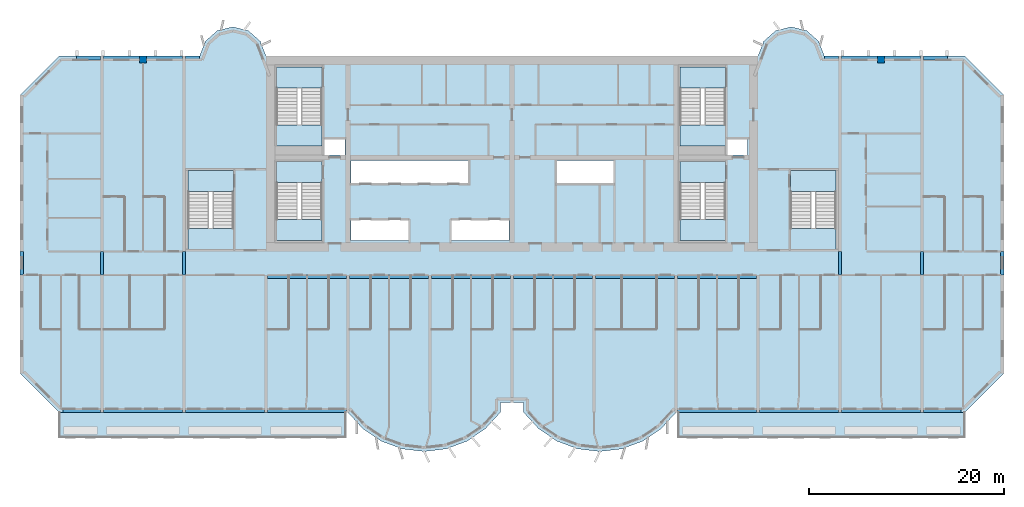
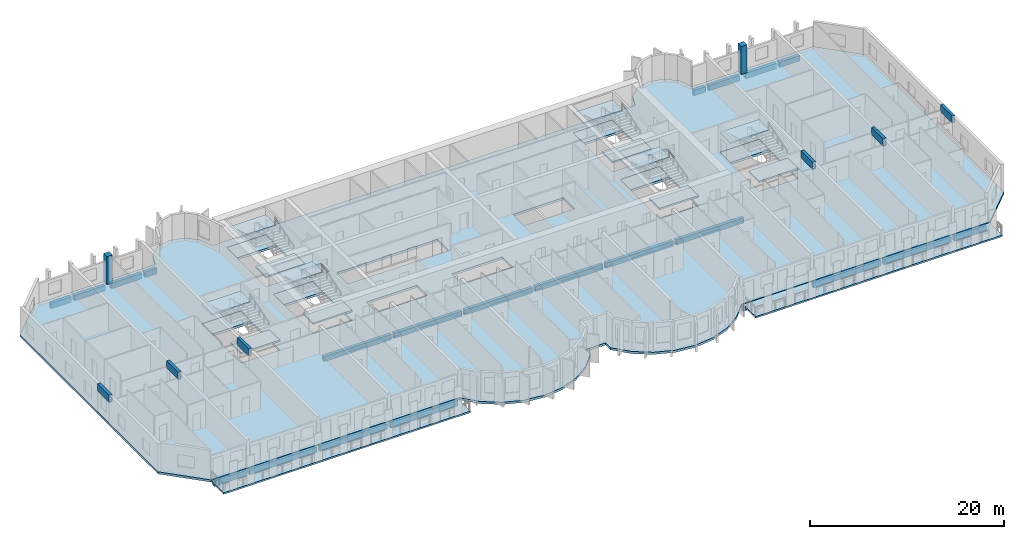
# One storey, part 1 of 15: 28 beams, 21 slabs, 2 columns, 6 elements without a shape of their own.
"""IFC4 building model written with IfcOpenShell, lengths in metres."""

from ifc_helpers import new_model, si_unit, direction, frame, origin, origin_2d, place, context, subcontext, project, spatial, polyline, rectangle, outline, extrude, source, transform, mapped, material, layer, layer_set, material_profile, profile_set, type_object, element, aggregate, save


model = new_model("IFC4")

# Units and contexts
model_context = context("Model", 3, precision=1e-05, world=origin(), true_north=direction((0.0, 1.0)))
body_context = subcontext(model_context, "Body", "Model", "MODEL_VIEW")
ifc_project = project(units=[si_unit("LENGTHUNIT", "METRE"), si_unit("AREAUNIT", "SQUARE_METRE"), si_unit("VOLUMEUNIT", "CUBIC_METRE"), si_unit("PLANEANGLEUNIT", "RADIAN"), si_unit("MASSUNIT", "GRAM", prefix="KILO")], contexts=[model_context])

# Site, building, storey
site_placement = place(None, origin())
site = spatial("IfcSite", under=ifc_project, at=site_placement, CompositionType="ELEMENT")
building_placement = place(site_placement, origin())
building = spatial("IfcBuilding", under=site, at=building_placement, Name="Vanashikhar Sky Hotel", CompositionType="ELEMENT")
storey_placement = place(building_placement, frame((0.0, 0.0, 95.199951171875)))
storey = spatial("IfcBuildingStorey", under=building, at=storey_placement, Name="L22", CompositionType="ELEMENT", Elevation=95.199951171875)

# Columns
ifc_material_1 = material(Name="Concrete M60", Category="concrete")
ifc_material_profile_1 = material_profile(ifc_material_1, rectangle(XDim=0.699951171875, YDim=0.699951171875, at=origin_2d()))
ifc_profile_set_1 = profile_set([ifc_material_profile_1], Name="RC 700x700 column Concrete M60")
column_type = type_object("IfcColumnType", Name="RC 700x700 column Concrete M60", PredefinedType="COLUMN", material=ifc_profile_set_1)
shared_shape_1 = source(origin(), body_context, "Body", "SweptSolid", [
    extrude(rectangle(XDim=0.699951171875, YDim=0.699951171875, at=origin_2d()), origin(), (0.0, 0.0, 1.0), 3.52001953125),
])
for number, where, z_axis, x_axis, name in (
    (1, (12.60009765625, 41.64990234375, 0.0), (0.0, 0.0, 1.0), (1.0, 0.0, 0.0), "CL-L22-CR02"),
    (2, (88.199951171875, 41.64990234375, 0.0), (0.0, 0.0, 1.0), (1.0, 0.0, 0.0), "CL-L22-CR11"),
):
    element("IfcColumn", number, at=place(storey_placement, frame(where, z_axis=z_axis, x_axis=x_axis)), inside=storey, type_object=column_type, Name=name, PredefinedType="COLUMN", context=body_context, shape_type="MappedRepresentation", body=[
        mapped(shared_shape_1, transform((0.0, 0.0, 0.0), scale=1.0)),
    ])

# Beams
ifc_material_2 = material(Name="Concrete M50", Category="concrete")
ifc_material_profile_2 = material_profile(ifc_material_2, rectangle(XDim=0.35009765625, YDim=0.89990234375, at=origin_2d()))
ifc_profile_set_2 = profile_set([ifc_material_profile_2], Name="RC 350x900 beam Concrete M50")
beam_type_1 = type_object("IfcBeamType", Name="RC 350x900 beam Concrete M50", PredefinedType="LINTEL", material=ifc_profile_set_2)
shared_shape_2 = source(origin(), body_context, "Body", "SweptSolid", [
    extrude(rectangle(XDim=0.35009765625, YDim=0.89990234375, at=origin_2d()), origin(), (0.0, 0.0, 1.0), 2.39990234375),
])
for number, where, z_axis, x_axis, name in (
    (3, (0.175048828125, 19.60009765625, 3.070068359375), (0.0, 1.0, 0.0), (-1.0, 0.0, 0.0), "LB-L22-XW01"),
    (4, (8.39990234375, 19.60009765625, 3.070068359375), (0.0, 1.0, 0.0), (-1.0, 0.0, 0.0), "LB-L22-XW02"),
    (5, (16.800048828125, 19.60009765625, 3.070068359375), (0.0, 1.0, 0.0), (-1.0, 0.0, 0.0), "LB-L22-XW03"),
    (6, (84.0, 19.60009765625, 3.070068359375), (0.0, 1.0, 0.0), (-1.0, 0.0, 0.0), "LB-L22-XW11"),
    (7, (92.39990234375, 19.60009765625, 3.070068359375), (0.0, 1.0, 0.0), (-1.0, 0.0, 0.0), "LB-L22-XW12"),
    (8, (100.625, 19.60009765625, 3.070068359375), (0.0, 1.0, 0.0), (-1.0, 0.0, 0.0), "LB-L22-XW13"),
):
    element("IfcBeam", number, at=place(storey_placement, frame(where, z_axis=z_axis, x_axis=x_axis)), inside=storey, type_object=beam_type_1, Name=name, PredefinedType="LINTEL", context=body_context, shape_type="MappedRepresentation", body=[
        mapped(shared_shape_2, transform((0.0, 0.0, 0.0), scale=1.0)),
    ])
ifc_material_profile_3 = material_profile(ifc_material_2, rectangle(XDim=0.39990234375, YDim=0.699951171875, at=origin_2d()))
ifc_profile_set_3 = profile_set([ifc_material_profile_3], Name="RC 400x700 beam Concrete M50")
beam_type_2 = type_object("IfcBeamType", Name="RC 400x700 beam Concrete M50", PredefinedType="SPANDREL", material=ifc_profile_set_3)
shared_shape_3 = source(origin(), body_context, "Body", "SweptSolid", [
    extrude(rectangle(XDim=0.39990234375, YDim=0.699951171875, at=origin_2d()), origin(), (0.0, 0.0, 1.0), 8.050048828125),
])
for number, where, z_axis, x_axis, name in (
    (9, (8.574951171875, 5.699951171875, -0.6298828125), (1.0, 0.0, 0.0), (0.0, 1.0, 0.0), "EB-L22-F01"),
    (10, (25.375, 5.699951171875, -0.6298828125), (1.0, 0.0, 0.0), (0.0, 1.0, 0.0), "EB-L22-F03"),
    (11, (67.375, 5.699951171875, -0.6298828125), (1.0, 0.0, 0.0), (0.0, 1.0, 0.0), "EB-L22-F05"),
    (12, (75.77490234375, 5.699951171875, -0.6298828125), (1.0, 0.0, 0.0), (0.0, 1.0, 0.0), "EB-L22-F06"),
    (13, (84.175048828125, 5.699951171875, -0.6298828125), (1.0, 0.0, 0.0), (0.0, 1.0, 0.0), "EB-L22-F07"),
):
    element("IfcBeam", number, at=place(storey_placement, frame(where, z_axis=z_axis, x_axis=x_axis)), inside=storey, type_object=beam_type_2, Name=name, PredefinedType="SPANDREL", context=body_context, shape_type="MappedRepresentation", body=[
        mapped(shared_shape_3, transform((0.0, 0.0, 0.0), scale=1.0)),
    ])
shared_shape_4 = source(origin(), body_context, "Body", "SweptSolid", [
    extrude(rectangle(XDim=0.39990234375, YDim=0.699951171875, at=origin_2d()), origin(), (0.0, 0.0, 1.0), 8.0498046875),
])
beam_1_placement = place(storey_placement, frame((16.97509765625, 5.699951171875, -0.6298828125), z_axis=(1.0, 0.0, 0.0), x_axis=(0.0, 1.0, 0.0)))
element("IfcBeam", 14, at=beam_1_placement, inside=storey, type_object=beam_type_2, Name="EB-L22-F02", PredefinedType="SPANDREL", context=body_context, shape_type="MappedRepresentation", body=[
    mapped(shared_shape_4, transform((0.0, 0.0, 0.0), scale=1.0)),
])
ifc_material_profile_4 = material_profile(ifc_material_2, rectangle(XDim=0.39990234375, YDim=0.699951171875, at=origin_2d()))
ifc_profile_set_4 = profile_set([ifc_material_profile_4], Name="RC 400x700 cantilever beam Concrete M50")
beam_type_3 = type_object("IfcBeamType", Name="RC 400x700 cantilever beam Concrete M50", PredefinedType="SPANDREL", material=ifc_profile_set_4)
shared_shape_5 = source(origin(), body_context, "Body", "SweptSolid", [
    extrude(rectangle(XDim=0.39990234375, YDim=0.699951171875, at=origin_2d()), origin(), (0.0, 0.0, 1.0), 3.8251953125),
])
beam_2_placement = place(storey_placement, frame((4.39990234375, 5.699951171875, -0.6298828125), z_axis=(1.0, 0.0, 0.0), x_axis=(0.0, 1.0, 0.0)))
element("IfcBeam", 15, at=beam_2_placement, inside=storey, type_object=beam_type_3, Name="EB-L22-F04", PredefinedType="SPANDREL", context=body_context, shape_type="MappedRepresentation", body=[
    mapped(shared_shape_5, transform((0.0, 0.0, 0.0), scale=1.0)),
])
shared_shape_6 = source(origin(), body_context, "Body", "SweptSolid", [
    extrude(rectangle(XDim=0.39990234375, YDim=0.699951171875, at=origin_2d()), origin(), (0.0, 0.0, 1.0), 3.824951171875),
])
beam_3_placement = place(storey_placement, frame((92.574951171875, 5.699951171875, -0.6298828125), z_axis=(1.0, 0.0, 0.0), x_axis=(0.0, 1.0, 0.0)))
element("IfcBeam", 16, at=beam_3_placement, inside=storey, type_object=beam_type_3, Name="EB-L22-F08", PredefinedType="SPANDREL", context=body_context, shape_type="MappedRepresentation", body=[
    mapped(shared_shape_6, transform((0.0, 0.0, 0.0), scale=1.0)),
])
shared_shape_7 = source(origin(), body_context, "Body", "SweptSolid", [
    extrude(rectangle(XDim=0.39990234375, YDim=0.699951171875, at=origin_2d()), origin(), (0.0, 0.0, 1.0), 3.675048828125),
])
for number, where, z_axis, x_axis, name in (
    (17, (8.574951171875, 41.800048828125, -0.6298828125), (1.0, 0.0, 0.0), (0.0, 1.0, 0.0), "EB-L22-R01"),
    (18, (12.949951171875, 41.800048828125, -0.6298828125), (1.0, 0.0, 0.0), (0.0, 1.0, 0.0), "EB-L22-R02"),
    (19, (84.175048828125, 41.800048828125, -0.6298828125), (1.0, 0.0, 0.0), (0.0, 1.0, 0.0), "EB-L22-R05"),
    (20, (88.550048828125, 41.800048828125, -0.6298828125), (1.0, 0.0, 0.0), (0.0, 1.0, 0.0), "EB-L22-R06"),
):
    element("IfcBeam", number, at=place(storey_placement, frame(where, z_axis=z_axis, x_axis=x_axis)), inside=storey, type_object=beam_type_2, Name=name, PredefinedType="SPANDREL", context=body_context, shape_type="MappedRepresentation", body=[
        mapped(shared_shape_7, transform((0.0, 0.0, 0.0), scale=1.0)),
    ])
shared_shape_8 = source(origin(), body_context, "Body", "SweptSolid", [
    extrude(rectangle(XDim=0.39990234375, YDim=0.699951171875, at=origin_2d()), origin(), (0.0, 0.0, 1.0), 2.43017578125),
])
beam_4_placement = place(storey_placement, frame((5.794921875, 41.800048828125, -0.6298828125), z_axis=(1.0, 0.0, 0.0), x_axis=(0.0, 1.0, 0.0)))
element("IfcBeam", 21, at=beam_4_placement, inside=storey, type_object=beam_type_3, Name="EB-L22-R03", PredefinedType="SPANDREL", context=body_context, shape_type="MappedRepresentation", body=[
    mapped(shared_shape_8, transform((0.0, 0.0, 0.0), scale=1.0)),
])
shared_shape_9 = source(origin(), body_context, "Body", "SweptSolid", [
    extrude(rectangle(XDim=0.39990234375, YDim=0.699951171875, at=origin_2d()), origin(), (0.0, 0.0, 1.0), 1.4248046875),
])
beam_5_placement = place(storey_placement, frame((16.97509765625, 41.800048828125, -0.6298828125), z_axis=(1.0, 0.0, 0.0), x_axis=(0.0, 1.0, 0.0)))
element("IfcBeam", 22, at=beam_5_placement, inside=storey, type_object=beam_type_3, Name="EB-L22-R04", PredefinedType="SPANDREL", context=body_context, shape_type="MappedRepresentation", body=[
    mapped(shared_shape_9, transform((0.0, 0.0, 0.0), scale=1.0)),
])
shared_shape_10 = source(origin(), body_context, "Body", "SweptSolid", [
    extrude(rectangle(XDim=0.39990234375, YDim=0.699951171875, at=origin_2d()), origin(), (0.0, 0.0, 1.0), 1.425048828125),
])
beam_6_placement = place(storey_placement, frame((82.39990234375, 41.800048828125, -0.6298828125), z_axis=(1.0, 0.0, 0.0), x_axis=(0.0, 1.0, 0.0)))
element("IfcBeam", 23, at=beam_6_placement, inside=storey, type_object=beam_type_3, Name="EB-L22-R07", PredefinedType="SPANDREL", context=body_context, shape_type="MappedRepresentation", body=[
    mapped(shared_shape_10, transform((0.0, 0.0, 0.0), scale=1.0)),
])
shared_shape_11 = source(origin(), body_context, "Body", "SweptSolid", [
    extrude(rectangle(XDim=0.39990234375, YDim=0.699951171875, at=origin_2d()), origin(), (0.0, 0.0, 1.0), 2.429931640625),
])
beam_7_placement = place(storey_placement, frame((92.574951171875, 41.800048828125, -0.6298828125), z_axis=(1.0, 0.0, 0.0), x_axis=(0.0, 1.0, 0.0)))
element("IfcBeam", 24, at=beam_7_placement, inside=storey, type_object=beam_type_3, Name="EB-L22-R08", PredefinedType="SPANDREL", context=body_context, shape_type="MappedRepresentation", body=[
    mapped(shared_shape_11, transform((0.0, 0.0, 0.0), scale=1.0)),
])
ifc_material_profile_5 = material_profile(ifc_material_2, rectangle(XDim=0.39990234375, YDim=0.64990234375, at=origin_2d()))
ifc_profile_set_5 = profile_set([ifc_material_profile_5], Name="RC 400x650 beam Concrete M50")
beam_type_4 = type_object("IfcBeamType", Name="RC 400x650 beam Concrete M50", PredefinedType="BEAM", material=ifc_profile_set_5)
shared_shape_12 = source(origin(), body_context, "Body", "SweptSolid", [
    extrude(rectangle(XDim=0.39990234375, YDim=0.64990234375, at=origin_2d()), origin(), (0.0, 0.0, 1.0), 8.050048828125),
])
for number, where, z_axis, x_axis, name in (
    (25, (25.375, 19.39990234375, -0.60498046875), (1.0, 0.0, 0.0), (0.0, 1.0, 0.0), "CB-L22-01"),
    (26, (33.77490234375, 19.39990234375, -0.60498046875), (1.0, 0.0, 0.0), (0.0, 1.0, 0.0), "CB-L22-02"),
    (27, (42.175048828125, 19.39990234375, -0.60498046875), (1.0, 0.0, 0.0), (0.0, 1.0, 0.0), "CB-L22-03"),
    (28, (50.574951171875, 19.39990234375, -0.60498046875), (1.0, 0.0, 0.0), (0.0, 1.0, 0.0), "CB-L22-04"),
    (29, (67.375, 19.39990234375, -0.60498046875), (1.0, 0.0, 0.0), (0.0, 1.0, 0.0), "CB-L22-06"),
):
    element("IfcBeam", number, at=place(storey_placement, frame(where, z_axis=z_axis, x_axis=x_axis)), inside=storey, type_object=beam_type_4, Name=name, PredefinedType="BEAM", context=body_context, shape_type="MappedRepresentation", body=[
        mapped(shared_shape_12, transform((0.0, 0.0, 0.0), scale=1.0)),
    ])
shared_shape_13 = source(origin(), body_context, "Body", "SweptSolid", [
    extrude(rectangle(XDim=0.39990234375, YDim=0.64990234375, at=origin_2d()), origin(), (0.0, 0.0, 1.0), 8.0498046875),
])
beam_8_placement = place(storey_placement, frame((58.97509765625, 19.39990234375, -0.60498046875), z_axis=(1.0, 0.0, 0.0), x_axis=(0.0, 1.0, 0.0)))
element("IfcBeam", 30, at=beam_8_placement, inside=storey, type_object=beam_type_4, Name="CB-L22-05", PredefinedType="BEAM", context=body_context, shape_type="MappedRepresentation", body=[
    mapped(shared_shape_13, transform((0.0, 0.0, 0.0), scale=1.0)),
])

# Slabs
ifc_material_3 = material(Name="Concrete M40", Category="concrete")
ifc_layer_1 = layer(ifc_material_3, 0.280029296875)
ifc_layer_set_1 = layer_set([ifc_layer_1], Name="Floor slab 280 mm")
slab_type_1 = type_object("IfcSlabType", Name="Floor slab 280 mm", PredefinedType="FLOOR", material=ifc_layer_set_1)
shared_shape_14 = source(origin(), body_context, "Body", "SweptSolid", [
    extrude(outline(polyline([(49.199951171875, 5.5), (49.199951171875, 6.5), (51.60009765625, 6.5), (51.60009765625, 5.5), (53.133056640625, 3.825927734375), (55.01708984375, 2.55810546875), (57.14599609375, 1.76806640625), (59.39990234375, 1.5), (61.654052734375, 1.76806640625), (63.782958984375, 2.55810546875), (65.6669921875, 3.825927734375), (67.199951171875, 5.5), (96.800048828125, 5.5), (100.800048828125, 9.5), (100.800048828125, 38.0), (96.800048828125, 42.0), (82.39990234375, 42.0), (81.81494140625, 43.527099609375), (80.587890625, 44.610107421875), (79.0, 45.0), (77.412109375, 44.610107421875), (76.18505859375, 43.527099609375), (75.60009765625, 42.0), (25.199951171875, 42.0), (24.614990234375, 43.527099609375), (23.387939453125, 44.610107421875), (21.800048828125, 45.0), (20.2119140625, 44.610107421875), (18.985107421875, 43.527099609375), (18.39990234375, 42.0), (4.0, 42.0), (0.0, 38.0), (0.0, 9.5), (4.0, 5.5), (33.60009765625, 5.5), (35.133056640625, 3.825927734375), (37.01708984375, 2.55810546875), (39.14599609375, 1.76806640625), (41.39990234375, 1.5), (43.654052734375, 1.76806640625), (45.782958984375, 2.55810546875), (47.6669921875, 3.825927734375), (49.199951171875, 5.5)]), holes=[polyline([(33.300048828125, 33.60009765625), (31.050048828125, 33.60009765625), (31.050048828125, 31.89990234375), (33.300048828125, 31.89990234375), (33.300048828125, 33.60009765625)]), polyline([(33.89990234375, 25.199951171875), (33.89990234375, 23.10009765625), (39.89990234375, 23.10009765625), (39.89990234375, 25.199951171875), (33.89990234375, 25.199951171875)]), polyline([(33.89990234375, 31.300048828125), (33.89990234375, 29.0), (45.89990234375, 29.0), (45.89990234375, 31.300048828125), (33.89990234375, 31.300048828125)]), polyline([(44.10009765625, 25.199951171875), (44.10009765625, 23.10009765625), (50.10009765625, 23.10009765625), (50.10009765625, 25.199951171875), (44.10009765625, 25.199951171875)]), polyline([(54.89990234375, 31.300048828125), (54.89990234375, 29.0), (60.89990234375, 29.0), (60.89990234375, 31.300048828125), (54.89990234375, 31.300048828125)]), polyline([(74.5, 33.60009765625), (72.35009765625, 33.60009765625), (72.35009765625, 31.89990234375), (74.5, 31.89990234375), (74.5, 33.60009765625)]), polyline([(30.949951171875, 23.10009765625), (30.949951171875, 31.199951171875), (26.300048828125, 31.199951171875), (26.300048828125, 23.10009765625), (30.949951171875, 23.10009765625)]), polyline([(72.25, 23.10009765625), (72.25, 31.199951171875), (67.60009765625, 31.199951171875), (67.60009765625, 23.10009765625), (72.25, 23.10009765625)]), polyline([(30.949951171875, 32.800048828125), (30.949951171875, 40.89990234375), (26.300048828125, 40.89990234375), (26.300048828125, 32.800048828125), (30.949951171875, 32.800048828125)]), polyline([(72.25, 32.800048828125), (72.25, 40.89990234375), (67.60009765625, 40.89990234375), (67.60009765625, 32.800048828125), (72.25, 32.800048828125)]), polyline([(83.60009765625, 22.199951171875), (83.60009765625, 30.300048828125), (78.949951171875, 30.300048828125), (78.949951171875, 22.199951171875), (83.60009765625, 22.199951171875)]), polyline([(21.85009765625, 22.199951171875), (21.85009765625, 30.300048828125), (17.199951171875, 30.300048828125), (17.199951171875, 22.199951171875), (21.85009765625, 22.199951171875)])]), origin(), (0.0, 0.0, 1.0), 0.280029296875),
])
slab_1_placement = place(storey_placement, frame((0.0, 0.0, -0.280029296875)))
element("IfcSlab", 31, at=slab_1_placement, inside=storey, type_object=slab_type_1, Name="Floor slab L22", PredefinedType="FLOOR", context=body_context, shape_type="MappedRepresentation", body=[
    mapped(shared_shape_14, transform((0.0, 0.0, 0.0), scale=1.0)),
])
ifc_layer_2 = layer(ifc_material_3, 0.199951171875)
ifc_layer_set_2 = layer_set([ifc_layer_2], Name="Balcony slab 200 mm")
slab_type_2 = type_object("IfcSlabType", Name="Balcony slab 200 mm", PredefinedType="USERDEFINED", material=ifc_layer_set_2)
shared_shape_15 = source(origin(), body_context, "Body", "SweptSolid", [
    extrude(outline(polyline([(4.0, 2.89990234375), (33.39990234375, 2.89990234375), (33.39990234375, 5.5), (4.0, 5.5), (4.0, 2.89990234375)])), origin(), (0.0, 0.0, 1.0), 0.199951171875),
])
slab_2_placement = place(storey_placement, frame((0.0, 0.0, -0.25)))
element("IfcSlab", 32, at=slab_2_placement, inside=storey, type_object=slab_type_2, Name="Balcony slab L22 1", ObjectType="BALCONY", PredefinedType="USERDEFINED", context=body_context, shape_type="MappedRepresentation", body=[
    mapped(shared_shape_15, transform((0.0, 0.0, 0.0), scale=1.0)),
])
shared_shape_16 = source(origin(), body_context, "Body", "SweptSolid", [
    extrude(outline(polyline([(67.39990234375, 2.89990234375), (96.800048828125, 2.89990234375), (96.800048828125, 5.5), (67.39990234375, 5.5), (67.39990234375, 2.89990234375)])), origin(), (0.0, 0.0, 1.0), 0.199951171875),
])
slab_3_placement = place(storey_placement, frame((0.0, 0.0, -0.25)))
element("IfcSlab", 33, at=slab_3_placement, inside=storey, type_object=slab_type_2, Name="Balcony slab L22 2", ObjectType="BALCONY", PredefinedType="USERDEFINED", context=body_context, shape_type="MappedRepresentation", body=[
    mapped(shared_shape_16, transform((0.0, 0.0, 0.0), scale=1.0)),
])

# Stair, slabs
stair_type = type_object("IfcStairType", Name="Exit stair 2150", PredefinedType="DOUBLE_RETURN_STAIR", material=ifc_material_3)
stair_1_placement = place(storey_placement, origin())
stair_1 = element("IfcStair", 34, at=stair_1_placement, inside=storey, type_object=stair_type, Name="L22 Exit stair 1", PredefinedType="DOUBLE_RETURN_STAIR")
ifc_layer_3 = layer(ifc_material_3, 0.199951171875)
ifc_layer_set_3 = layer_set([ifc_layer_3], Name="Stair landing 200")
slab_type_3 = type_object("IfcSlabType", Name="Stair landing 200", PredefinedType="LANDING", material=ifc_layer_set_3)
shared_shape_17 = source(origin(), body_context, "Body", "SweptSolid", [
    extrude(outline(polyline([(30.949951171875, 29.050048828125), (30.949951171875, 31.199951171875), (26.300048828125, 31.199951171875), (26.300048828125, 29.050048828125), (30.949951171875, 29.050048828125)])), origin(), (0.0, 0.0, 1.0), 0.199951171875),
])
slab_4_placement = place(storey_placement, frame((0.0, 0.0, 2.33349609375)))
slab_4 = element("IfcSlab", 35, at=slab_4_placement, type_object=slab_type_3, Name="ST-C1 landing 2", PredefinedType="LANDING", context=body_context, shape_type="MappedRepresentation", body=[
    mapped(shared_shape_17, transform((0.0, 0.0, 0.0), scale=1.0)),
])
shared_shape_18 = source(origin(), body_context, "Body", "SweptSolid", [
    extrude(outline(polyline([(30.949951171875, 23.10009765625), (30.949951171875, 25.25), (26.300048828125, 25.25), (26.300048828125, 23.10009765625), (30.949951171875, 23.10009765625)])), origin(), (0.0, 0.0, 1.0), 0.199951171875),
])
slab_5_placement = place(storey_placement, frame((0.0, 0.0, 1.066650390625)))
slab_5 = element("IfcSlab", 36, at=slab_5_placement, type_object=slab_type_3, Name="ST-C1 landing 1", PredefinedType="LANDING", context=body_context, shape_type="MappedRepresentation", body=[
    mapped(shared_shape_18, transform((0.0, 0.0, 0.0), scale=1.0)),
])
aggregate(stair_1, [slab_5, slab_4])

# Slab
ifc_layer_4 = layer(ifc_material_3, 0.280029296875)
ifc_layer_set_4 = layer_set([ifc_layer_4], Name="Stair floor landing 280")
slab_type_4 = type_object("IfcSlabType", Name="Stair floor landing 280", PredefinedType="LANDING", material=ifc_layer_set_4)
shared_shape_19 = source(origin(), body_context, "Body", "SweptSolid", [
    extrude(outline(polyline([(30.949951171875, 29.050048828125), (30.949951171875, 31.199951171875), (26.300048828125, 31.199951171875), (26.300048828125, 29.050048828125), (30.949951171875, 29.050048828125)])), origin(), (0.0, 0.0, 1.0), 0.280029296875),
])
slab_6_placement = place(storey_placement, frame((0.0, 0.0, -0.280029296875)))
element("IfcSlab", 37, at=slab_6_placement, inside=storey, type_object=slab_type_4, Name="Exit stair 1 floor landing", PredefinedType="LANDING", context=body_context, shape_type="MappedRepresentation", body=[
    mapped(shared_shape_19, transform((0.0, 0.0, 0.0), scale=1.0)),
])

# Stair, slabs
stair_2_placement = place(storey_placement, origin())
stair_2 = element("IfcStair", 38, at=stair_2_placement, inside=storey, type_object=stair_type, Name="L22 Exit stair 2", PredefinedType="DOUBLE_RETURN_STAIR")
shared_shape_20 = source(origin(), body_context, "Body", "SweptSolid", [
    extrude(outline(polyline([(72.25, 29.050048828125), (72.25, 31.199951171875), (67.60009765625, 31.199951171875), (67.60009765625, 29.050048828125), (72.25, 29.050048828125)])), origin(), (0.0, 0.0, 1.0), 0.199951171875),
])
slab_7_placement = place(storey_placement, frame((0.0, 0.0, 2.33349609375)))
slab_7 = element("IfcSlab", 39, at=slab_7_placement, type_object=slab_type_3, Name="ST-C2 landing 2", PredefinedType="LANDING", context=body_context, shape_type="MappedRepresentation", body=[
    mapped(shared_shape_20, transform((0.0, 0.0, 0.0), scale=1.0)),
])
shared_shape_21 = source(origin(), body_context, "Body", "SweptSolid", [
    extrude(outline(polyline([(72.25, 23.10009765625), (72.25, 25.25), (67.60009765625, 25.25), (67.60009765625, 23.10009765625), (72.25, 23.10009765625)])), origin(), (0.0, 0.0, 1.0), 0.199951171875),
])
slab_8_placement = place(storey_placement, frame((0.0, 0.0, 1.066650390625)))
slab_8 = element("IfcSlab", 40, at=slab_8_placement, type_object=slab_type_3, Name="ST-C2 landing 1", PredefinedType="LANDING", context=body_context, shape_type="MappedRepresentation", body=[
    mapped(shared_shape_21, transform((0.0, 0.0, 0.0), scale=1.0)),
])
aggregate(stair_2, [slab_8, slab_7])

# Slab
shared_shape_22 = source(origin(), body_context, "Body", "SweptSolid", [
    extrude(outline(polyline([(72.25, 29.050048828125), (72.25, 31.199951171875), (67.60009765625, 31.199951171875), (67.60009765625, 29.050048828125), (72.25, 29.050048828125)])), origin(), (0.0, 0.0, 1.0), 0.280029296875),
])
slab_9_placement = place(storey_placement, frame((0.0, 0.0, -0.280029296875)))
element("IfcSlab", 41, at=slab_9_placement, inside=storey, type_object=slab_type_4, Name="Exit stair 2 floor landing", PredefinedType="LANDING", context=body_context, shape_type="MappedRepresentation", body=[
    mapped(shared_shape_22, transform((0.0, 0.0, 0.0), scale=1.0)),
])

# Stair, slabs
stair_3_placement = place(storey_placement, origin())
stair_3 = element("IfcStair", 42, at=stair_3_placement, inside=storey, type_object=stair_type, Name="L22 Exit stair 3", PredefinedType="DOUBLE_RETURN_STAIR")
shared_shape_23 = source(origin(), body_context, "Body", "SweptSolid", [
    extrude(outline(polyline([(21.85009765625, 28.14990234375), (21.85009765625, 30.300048828125), (17.199951171875, 30.300048828125), (17.199951171875, 28.14990234375), (21.85009765625, 28.14990234375)])), origin(), (0.0, 0.0, 1.0), 0.199951171875),
])
slab_10_placement = place(storey_placement, frame((0.0, 0.0, 2.33349609375)))
slab_10 = element("IfcSlab", 43, at=slab_10_placement, type_object=slab_type_3, Name="ST-W landing 2", PredefinedType="LANDING", context=body_context, shape_type="MappedRepresentation", body=[
    mapped(shared_shape_23, transform((0.0, 0.0, 0.0), scale=1.0)),
])
shared_shape_24 = source(origin(), body_context, "Body", "SweptSolid", [
    extrude(outline(polyline([(21.85009765625, 22.199951171875), (21.85009765625, 24.35009765625), (17.199951171875, 24.35009765625), (17.199951171875, 22.199951171875), (21.85009765625, 22.199951171875)])), origin(), (0.0, 0.0, 1.0), 0.199951171875),
])
slab_11_placement = place(storey_placement, frame((0.0, 0.0, 1.066650390625)))
slab_11 = element("IfcSlab", 44, at=slab_11_placement, type_object=slab_type_3, Name="ST-W landing 1", PredefinedType="LANDING", context=body_context, shape_type="MappedRepresentation", body=[
    mapped(shared_shape_24, transform((0.0, 0.0, 0.0), scale=1.0)),
])
aggregate(stair_3, [slab_11, slab_10])

# Slab
shared_shape_25 = source(origin(), body_context, "Body", "SweptSolid", [
    extrude(outline(polyline([(21.85009765625, 28.14990234375), (21.85009765625, 30.300048828125), (17.199951171875, 30.300048828125), (17.199951171875, 28.14990234375), (21.85009765625, 28.14990234375)])), origin(), (0.0, 0.0, 1.0), 0.280029296875),
])
slab_12_placement = place(storey_placement, frame((0.0, 0.0, -0.280029296875)))
element("IfcSlab", 45, at=slab_12_placement, inside=storey, type_object=slab_type_4, Name="Exit stair 3 floor landing", PredefinedType="LANDING", context=body_context, shape_type="MappedRepresentation", body=[
    mapped(shared_shape_25, transform((0.0, 0.0, 0.0), scale=1.0)),
])

# Stair, slabs
stair_4_placement = place(storey_placement, origin())
stair_4 = element("IfcStair", 46, at=stair_4_placement, inside=storey, type_object=stair_type, Name="L22 Exit stair 4", PredefinedType="DOUBLE_RETURN_STAIR")
shared_shape_26 = source(origin(), body_context, "Body", "SweptSolid", [
    extrude(outline(polyline([(83.60009765625, 28.14990234375), (83.60009765625, 30.300048828125), (78.949951171875, 30.300048828125), (78.949951171875, 28.14990234375), (83.60009765625, 28.14990234375)])), origin(), (0.0, 0.0, 1.0), 0.199951171875),
])
slab_13_placement = place(storey_placement, frame((0.0, 0.0, 2.33349609375)))
slab_13 = element("IfcSlab", 47, at=slab_13_placement, type_object=slab_type_3, Name="ST-E landing 2", PredefinedType="LANDING", context=body_context, shape_type="MappedRepresentation", body=[
    mapped(shared_shape_26, transform((0.0, 0.0, 0.0), scale=1.0)),
])
shared_shape_27 = source(origin(), body_context, "Body", "SweptSolid", [
    extrude(outline(polyline([(83.60009765625, 22.199951171875), (83.60009765625, 24.35009765625), (78.949951171875, 24.35009765625), (78.949951171875, 22.199951171875), (83.60009765625, 22.199951171875)])), origin(), (0.0, 0.0, 1.0), 0.199951171875),
])
slab_14_placement = place(storey_placement, frame((0.0, 0.0, 1.066650390625)))
slab_14 = element("IfcSlab", 48, at=slab_14_placement, type_object=slab_type_3, Name="ST-E landing 1", PredefinedType="LANDING", context=body_context, shape_type="MappedRepresentation", body=[
    mapped(shared_shape_27, transform((0.0, 0.0, 0.0), scale=1.0)),
])
aggregate(stair_4, [slab_14, slab_13])

# Slab
shared_shape_28 = source(origin(), body_context, "Body", "SweptSolid", [
    extrude(outline(polyline([(83.60009765625, 28.14990234375), (83.60009765625, 30.300048828125), (78.949951171875, 30.300048828125), (78.949951171875, 28.14990234375), (83.60009765625, 28.14990234375)])), origin(), (0.0, 0.0, 1.0), 0.280029296875),
])
slab_15_placement = place(storey_placement, frame((0.0, 0.0, -0.280029296875)))
element("IfcSlab", 49, at=slab_15_placement, inside=storey, type_object=slab_type_4, Name="Exit stair 4 floor landing", PredefinedType="LANDING", context=body_context, shape_type="MappedRepresentation", body=[
    mapped(shared_shape_28, transform((0.0, 0.0, 0.0), scale=1.0)),
])

# Stair, slabs
stair_5_placement = place(storey_placement, origin())
stair_5 = element("IfcStair", 50, at=stair_5_placement, inside=storey, type_object=stair_type, Name="L22 Exit stair 5", PredefinedType="DOUBLE_RETURN_STAIR")
shared_shape_29 = source(origin(), body_context, "Body", "SweptSolid", [
    extrude(outline(polyline([(30.949951171875, 38.75), (30.949951171875, 40.89990234375), (26.300048828125, 40.89990234375), (26.300048828125, 38.75), (30.949951171875, 38.75)])), origin(), (0.0, 0.0, 1.0), 0.199951171875),
])
slab_16_placement = place(storey_placement, frame((0.0, 0.0, 2.33349609375)))
slab_16 = element("IfcSlab", 51, at=slab_16_placement, type_object=slab_type_3, Name="ST-C3 landing 2", PredefinedType="LANDING", context=body_context, shape_type="MappedRepresentation", body=[
    mapped(shared_shape_29, transform((0.0, 0.0, 0.0), scale=1.0)),
])
shared_shape_30 = source(origin(), body_context, "Body", "SweptSolid", [
    extrude(outline(polyline([(30.949951171875, 32.800048828125), (30.949951171875, 34.949951171875), (26.300048828125, 34.949951171875), (26.300048828125, 32.800048828125), (30.949951171875, 32.800048828125)])), origin(), (0.0, 0.0, 1.0), 0.199951171875),
])
slab_17_placement = place(storey_placement, frame((0.0, 0.0, 1.066650390625)))
slab_17 = element("IfcSlab", 52, at=slab_17_placement, type_object=slab_type_3, Name="ST-C3 landing 1", PredefinedType="LANDING", context=body_context, shape_type="MappedRepresentation", body=[
    mapped(shared_shape_30, transform((0.0, 0.0, 0.0), scale=1.0)),
])
aggregate(stair_5, [slab_17, slab_16])

# Slab
shared_shape_31 = source(origin(), body_context, "Body", "SweptSolid", [
    extrude(outline(polyline([(30.949951171875, 38.75), (30.949951171875, 40.89990234375), (26.300048828125, 40.89990234375), (26.300048828125, 38.75), (30.949951171875, 38.75)])), origin(), (0.0, 0.0, 1.0), 0.280029296875),
])
slab_18_placement = place(storey_placement, frame((0.0, 0.0, -0.280029296875)))
element("IfcSlab", 53, at=slab_18_placement, inside=storey, type_object=slab_type_4, Name="Exit stair 5 floor landing", PredefinedType="LANDING", context=body_context, shape_type="MappedRepresentation", body=[
    mapped(shared_shape_31, transform((0.0, 0.0, 0.0), scale=1.0)),
])

# Stair, slabs
stair_6_placement = place(storey_placement, origin())
stair_6 = element("IfcStair", 54, at=stair_6_placement, inside=storey, type_object=stair_type, Name="L22 Exit stair 6", PredefinedType="DOUBLE_RETURN_STAIR")
shared_shape_32 = source(origin(), body_context, "Body", "SweptSolid", [
    extrude(outline(polyline([(72.25, 38.75), (72.25, 40.89990234375), (67.60009765625, 40.89990234375), (67.60009765625, 38.75), (72.25, 38.75)])), origin(), (0.0, 0.0, 1.0), 0.199951171875),
])
slab_19_placement = place(storey_placement, frame((0.0, 0.0, 2.33349609375)))
slab_19 = element("IfcSlab", 55, at=slab_19_placement, type_object=slab_type_3, Name="ST-C4 landing 2", PredefinedType="LANDING", context=body_context, shape_type="MappedRepresentation", body=[
    mapped(shared_shape_32, transform((0.0, 0.0, 0.0), scale=1.0)),
])
shared_shape_33 = source(origin(), body_context, "Body", "SweptSolid", [
    extrude(outline(polyline([(72.25, 32.800048828125), (72.25, 34.949951171875), (67.60009765625, 34.949951171875), (67.60009765625, 32.800048828125), (72.25, 32.800048828125)])), origin(), (0.0, 0.0, 1.0), 0.199951171875),
])
slab_20_placement = place(storey_placement, frame((0.0, 0.0, 1.066650390625)))
slab_20 = element("IfcSlab", 56, at=slab_20_placement, type_object=slab_type_3, Name="ST-C4 landing 1", PredefinedType="LANDING", context=body_context, shape_type="MappedRepresentation", body=[
    mapped(shared_shape_33, transform((0.0, 0.0, 0.0), scale=1.0)),
])
aggregate(stair_6, [slab_20, slab_19])

# Slab
shared_shape_34 = source(origin(), body_context, "Body", "SweptSolid", [
    extrude(outline(polyline([(72.25, 38.75), (72.25, 40.89990234375), (67.60009765625, 40.89990234375), (67.60009765625, 38.75), (72.25, 38.75)])), origin(), (0.0, 0.0, 1.0), 0.280029296875),
])
slab_21_placement = place(storey_placement, frame((0.0, 0.0, -0.280029296875)))
element("IfcSlab", 57, at=slab_21_placement, inside=storey, type_object=slab_type_4, Name="Exit stair 6 floor landing", PredefinedType="LANDING", context=body_context, shape_type="MappedRepresentation", body=[
    mapped(shared_shape_34, transform((0.0, 0.0, 0.0), scale=1.0)),
])

save(model, "model.ifc")
